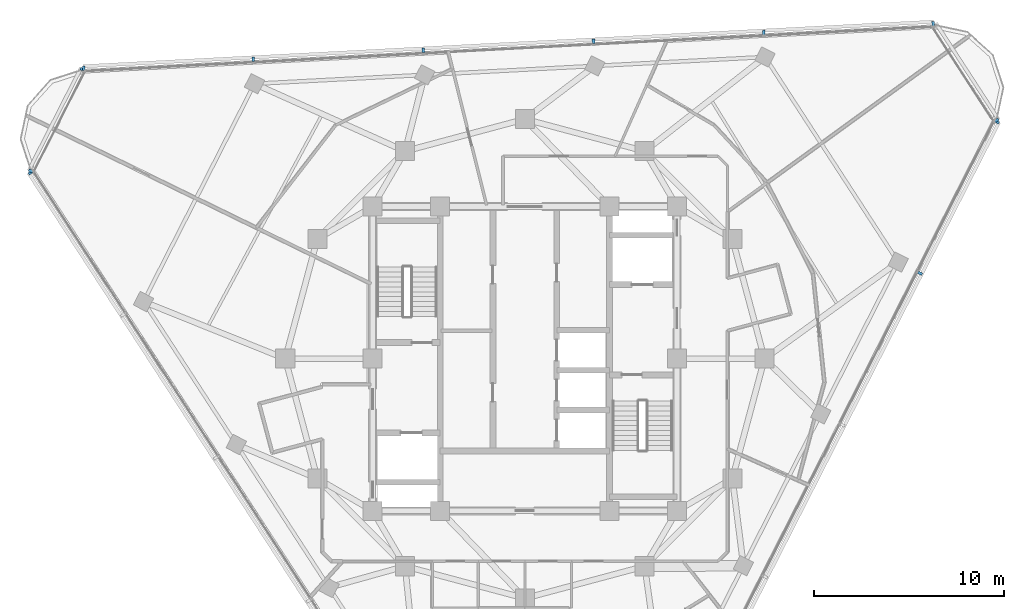
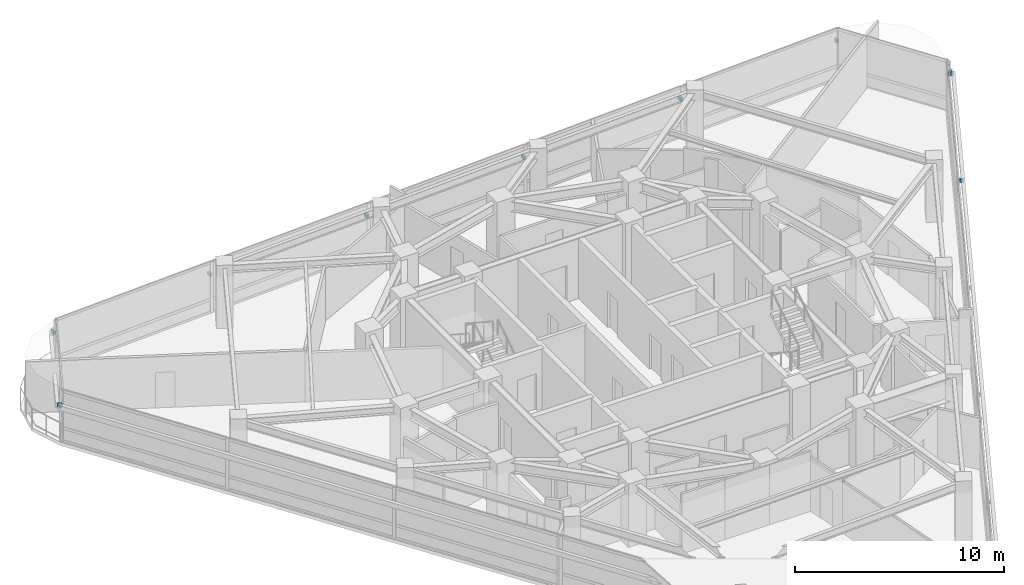
# One storey, part 11 of 15: 12 discrete accessories.
"""IFC4 building model written with IfcOpenShell, lengths in metres."""

import ifcopenshell
import ifcopenshell.guid

model = None  # the IFC model being written
_history = None  # IfcOwnerHistory: only IFC2X3 demands one
_inside = {}  # id of a spatial element -> (the spatial element, [elements in it])
_under = {}  # id of a project, library or spatial element -> (it, [spatial elements below it])
_declared = {}  # id of a project -> (the project, [libraries it declares])
_typed = {}  # id of a type object -> (the type object, [elements of that type])
_made_of = {}  # id of a material, layer set ... -> (it, [elements and type objects made of it])


def new_model(schema):
    """Start an empty IFC model of exactly this schema.

    Asked for "IFC4X3", IfcOpenShell would pick the latest addendum, in which some entities
    have other attributes; the version numbers below select the first issue.
    IFC2X3 requires an IfcOwnerHistory on every rooted entity: one is made here for all.
    """
    global model, _history
    if schema == "IFC4X3":
        model = ifcopenshell.file(schema_version=(4, 3, 0, 0))
    else:
        model = ifcopenshell.file(schema=schema)
    _inside.clear()
    _under.clear()
    _declared.clear()
    _typed.clear()
    _made_of.clear()
    _history = None
    if model.schema == "IFC2X3":
        org = make("IfcOrganization", Name="unknown")
        user = make(
            "IfcPersonAndOrganization",
            ThePerson=make("IfcPerson", FamilyName="unknown"),
            TheOrganization=org,
        )
        app = make(
            "IfcApplication",
            ApplicationDeveloper=org,
            Version="unknown",
            ApplicationFullName="unknown",
            ApplicationIdentifier="unknown",
        )
        _history = make(
            "IfcOwnerHistory",
            OwningUser=user,
            OwningApplication=app,
            ChangeAction="ADDED",
            CreationDate=0,
        )
    return model


def make(cls, **values):
    """One entity of the class cls with the attributes given. An attribute that is None is left unset."""
    return model.create_entity(
        cls, **{name: value for name, value in values.items() if value is not None}
    )


def rooted(cls, **values):
    """An entity with a GlobalId (a new one), such as an element, a storey or a relation."""
    return make(cls, GlobalId=ifcopenshell.guid.new(), OwnerHistory=_history, **values)


def si_unit(unit_type, name, prefix=None):
    """IfcSIUnit, for example si_unit("LENGTHUNIT", "METRE", prefix="MILLI")."""
    return make("IfcSIUnit", UnitType=unit_type, Prefix=prefix, Name=name)


def assignment(units):
    """IfcUnitAssignment: the units of a project."""
    return None if units is None else make("IfcUnitAssignment", Units=units)


def point(xyz):
    """IfcCartesianPoint."""
    return None if xyz is None else make("IfcCartesianPoint", Coordinates=xyz)


def direction(xyz):
    """IfcDirection."""
    return None if xyz is None else make("IfcDirection", DirectionRatios=xyz)


def frame(location, z_axis=None, x_axis=None):
    """IfcAxis2Placement3D, a coordinate frame: its origin and axes. An axis left out is left unset."""
    return make(
        "IfcAxis2Placement3D",
        Location=point(location),
        Axis=direction(z_axis),
        RefDirection=direction(x_axis),
    )


def frame_2d(location, x_axis=None):
    """IfcAxis2Placement2D, a coordinate frame in the plane: its origin and x axis."""
    return make(
        "IfcAxis2Placement2D", Location=point(location), RefDirection=direction(x_axis)
    )


def origin():
    """The frame at (0, 0, 0) with its axes left unset."""
    return frame((0.0, 0.0, 0.0))


def origin_2d():
    """The frame at (0, 0) in the plane with its x axis left unset."""
    return frame_2d((0.0, 0.0))


def place(relative_to, where):
    """IfcLocalPlacement: puts the frame where relative to a parent placement (None: the world)."""
    return make(
        "IfcLocalPlacement", PlacementRelTo=relative_to, RelativePlacement=where
    )


def context(
    kind, dimensions, precision=None, world=None, true_north=None, identifier=None
):
    """IfcGeometricRepresentationContext, for example the 3D "Model" context."""
    return make(
        "IfcGeometricRepresentationContext",
        ContextIdentifier=identifier,
        ContextType=kind,
        CoordinateSpaceDimension=dimensions,
        Precision=precision,
        WorldCoordinateSystem=world,
        TrueNorth=true_north,
    )


def subcontext(parent, identifier, kind, view, scale=None):
    """IfcGeometricRepresentationSubContext, for example "Body" below "Model"."""
    return make(
        "IfcGeometricRepresentationSubContext",
        ContextIdentifier=identifier,
        ContextType=kind,
        ParentContext=parent,
        TargetScale=scale,
        TargetView=view,
    )


def project(units=None, contexts=None):
    """IfcProject with its units and contexts."""
    return rooted(
        "IfcProject",
        Name="project",
        RepresentationContexts=contexts,
        UnitsInContext=assignment(units),
    )


def spatial(cls, under=None, at=None, **own):
    """A site, building, storey or space (cls), placed at a placement, below another one or the project."""
    s = rooted(cls, ObjectPlacement=at, **own)
    if under is not None:
        _under.setdefault(under.id(), (under, []))[1].append(s)
    return s


def profile(cls, at=None, kind="AREA", **sizes):
    """A parametric profile (cls). Its sizes go by their IFC names, for example OverallWidth=200.0."""
    return make(cls, ProfileType=kind, Position=at, **sizes)


def rectangle(**sizes):
    """IfcRectangleProfileDef."""
    return profile("IfcRectangleProfileDef", **sizes)


def extrude(swept, where, along, depth):
    """IfcExtrudedAreaSolid: the profile swept, set in the frame where, extruded along a direction by depth."""
    return make(
        "IfcExtrudedAreaSolid",
        SweptArea=swept,
        Position=where,
        ExtrudedDirection=direction(along),
        Depth=depth,
    )


def shape(context_of_items, identifier, shape_type, items):
    """IfcShapeRepresentation: the items that make up one representation, for example the "Body"."""
    return make(
        "IfcShapeRepresentation",
        ContextOfItems=context_of_items,
        RepresentationIdentifier=identifier,
        RepresentationType=shape_type,
        Items=items,
    )


def material(Name=None, Category=None):
    """IfcMaterial."""
    return make("IfcMaterial", Name=Name, Category=Category)


def made_of(thing, what):
    """Note that an element or type object is made of a material, layer set ...; save() writes the relation."""
    if what is not None:
        _made_of.setdefault(what.id(), (what, []))[1].append(thing)
    return thing


def type_object(cls, material=None, **own):
    """A type object (cls), such as IfcWallType, which elements share."""
    return made_of(rooted(cls, **own), material)


def element(
    cls,
    number,
    at=None,
    inside=None,
    cuts=None,
    type_object=None,
    material=None,
    context=None,
    identifier="Body",
    shape_type=None,
    held_by="IfcProductDefinitionShape",
    body=None,
    shapes=None,
    **own,
):
    """One element of the class cls, such as IfcWall. Its Tag is "e" and its number.

    at: its placement. inside: the storey or other place that contains it. cuts: it is an
    opening in that element (IfcRelVoidsElement). A single representation is given by context,
    identifier, shape_type and body (its items); several are given by shapes. held_by: the class
    of the entity that holds the representations. save() writes the other relations.
    """
    e = rooted(cls, Tag="e%d" % number, ObjectPlacement=at, **own)
    if body is not None:
        shapes = [shape(context, identifier, shape_type, body)]
    if shapes is not None:
        e.Representation = make(held_by, Representations=shapes)
    if inside is not None:
        _inside.setdefault(inside.id(), (inside, []))[1].append(e)
    if cuts is not None:
        rooted(
            "IfcRelVoidsElement", RelatingBuildingElement=cuts, RelatedOpeningElement=e
        )
    if type_object is not None:
        _typed.setdefault(type_object.id(), (type_object, []))[1].append(e)
    return made_of(e, material)


def aggregate(whole, parts):
    """IfcRelAggregates: a whole, such as a stair, and the parts it consists of."""
    return rooted("IfcRelAggregates", RelatingObject=whole, RelatedObjects=parts)


def save(model, path):
    """Write the relations noted so far, then the file.

    IfcRelAggregates (storeys below a building ...), IfcRelContainedInSpatialStructure (elements
    in a storey), IfcRelDefinesByType, IfcRelAssociatesMaterial and IfcRelDeclares: one each for
    every whole, place, type object, material and project.
    """
    for whole, parts in _under.values():
        aggregate(whole, parts)
    for where, things in _inside.values():
        rooted(
            "IfcRelContainedInSpatialStructure",
            RelatedElements=things,
            RelatingStructure=where,
        )
    for kind, things in _typed.values():
        rooted("IfcRelDefinesByType", RelatedObjects=things, RelatingType=kind)
    for what, things in _made_of.values():
        rooted("IfcRelAssociatesMaterial", RelatedObjects=things, RelatingMaterial=what)
    for by, libraries in _declared.values():
        rooted("IfcRelDeclares", RelatingContext=by, RelatedDefinitions=libraries)
    model.write(path)


model = new_model("IFC4")

# Units and contexts
model_context = context("Model", 3, precision=1e-05, world=origin(), true_north=direction((0.0, 1.0)))
body_context = subcontext(model_context, "Body", "Model", "MODEL_VIEW")
ifc_project = project(units=[si_unit("LENGTHUNIT", "METRE"), si_unit("AREAUNIT", "SQUARE_METRE"), si_unit("VOLUMEUNIT", "CUBIC_METRE"), si_unit("PLANEANGLEUNIT", "RADIAN"), si_unit("MASSUNIT", "GRAM", prefix="KILO")], contexts=[model_context])

# Site, building, storey
site_placement = place(None, origin())
site = spatial("IfcSite", under=ifc_project, at=site_placement, CompositionType="ELEMENT")
building_placement = place(site_placement, origin())
building = spatial("IfcBuilding", under=site, at=building_placement, Name="Terralouvre Media Tower", CompositionType="ELEMENT")
storey_placement = place(building_placement, frame((0.0, 0.0, 248.5)))
storey = spatial("IfcBuildingStorey", under=building, at=storey_placement, Name="L64", CompositionType="ELEMENT", Elevation=248.5)

# Discrete accessories
ifc_material = material(Name="Anodised extruded aluminium 6063-T6", Category="aluminium")
discrete_accessory_type = type_object("IfcDiscreteAccessoryType", Name="Mullion Stand-Off Baguette Fixing Bracket BK-01", PredefinedType="BRACKET", material=ifc_material)
for number, where, z_axis, x_axis, name in (
    (1, (20.77880859375, 4.49658203125, 2.07421875), (0.0, 0.0, 1.0), (0.45399044259, 0.891006553308, 0.0), "CW-L64-F0 Baguette Outrigger Bracket 1.05"),
    (2, (24.82958984375, 12.44677734375, 2.07421875), (0.0, 0.0, 1.0), (0.45399044259, 0.891006553308, 0.0), "CW-L64-F0 Baguette Outrigger Bracket 1.06"),
    (3, (21.4697265625, 17.620361328125, 2.07421875), (0.0, 0.0, 1.0), (-0.998629523875, -0.052336163844, 0.0), "CW-L64-F1 Baguette Outrigger Bracket 1.01"),
    (4, (12.5595703125, 17.153564453125, 2.07421875), (0.0, 0.0, 1.0), (-0.998629523875, -0.052336163844, 0.0), "CW-L64-F1 Baguette Outrigger Bracket 1.02"),
    (5, (3.61181640625, 16.6845703125, 2.07421875), (0.0, 0.0, 1.0), (-0.998629523875, -0.052336163844, 0.0), "CW-L64-F1 Baguette Outrigger Bracket 1.03"),
    (6, (-5.3359375, 16.215576171875, 2.07421875), (0.0, 0.0, 1.0), (-0.998629523875, -0.052336163844, 0.0), "CW-L64-F1 Baguette Outrigger Bracket 1.04"),
    (7, (-14.28369140625, 15.74658203125, 2.07421875), (0.0, 0.0, 1.0), (-0.998629523875, -0.052336163844, 0.0), "CW-L64-F1 Baguette Outrigger Bracket 1.05"),
    (8, (-23.194091796875, 15.27978515625, 2.07421875), (0.0, 0.0, 1.0), (-0.998629523875, -0.052336163844, 0.0), "CW-L64-F1 Baguette Outrigger Bracket 1.06"),
    (9, (-25.99462890625, 9.783203125, 2.07421875), (0.0, 0.0, 1.0), (0.544639069077, -0.838670545826, 0.0), "CW-L64-F2 Baguette Outrigger Bracket 1.01"),
    (10, (24.807373046875, 12.54052734375, 2.07421875), (0.0, 0.0, 1.0), (-0.544639197097, 0.838670462688, 0.0), "CW-L64-C1 Baguette Outrigger Bracket 1.01"),
    (11, (-23.26416015625, 15.21337890625, 2.07421875), (0.0, 0.0, 1.0), (-0.453990349937, -0.891006600517, 0.0), "CW-L64-C2 Baguette Outrigger Bracket 1.01"),
    (12, (-25.982177734375, 9.87890625, 2.07421875), (0.0, 0.0, 1.0), (-0.453990349937, -0.891006600517, 0.0), "CW-L64-C2 Baguette Outrigger Bracket 1.02"),
):
    element("IfcDiscreteAccessory", number, at=place(storey_placement, frame(where, z_axis=z_axis, x_axis=x_axis)), inside=storey, type_object=discrete_accessory_type, Name=name, PredefinedType="BRACKET", context=body_context, shape_type="SweptSolid", body=[
        extrude(rectangle(XDim=0.139892578125, YDim=0.239990234375, at=origin_2d()), origin(), (0.0, 0.0, 1.0), 0.179931640625),
    ])

save(model, "model.ifc")
